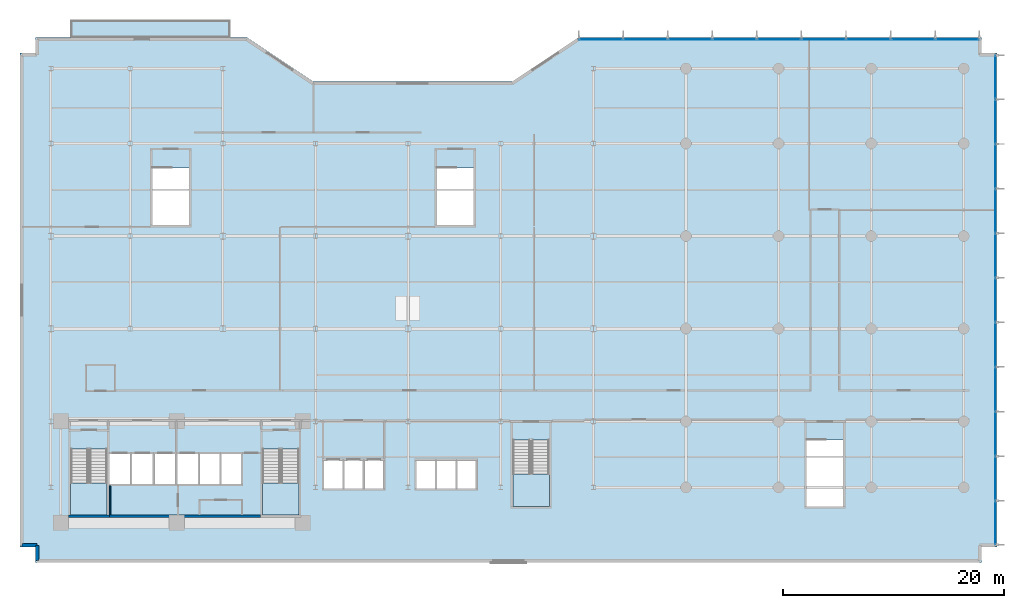
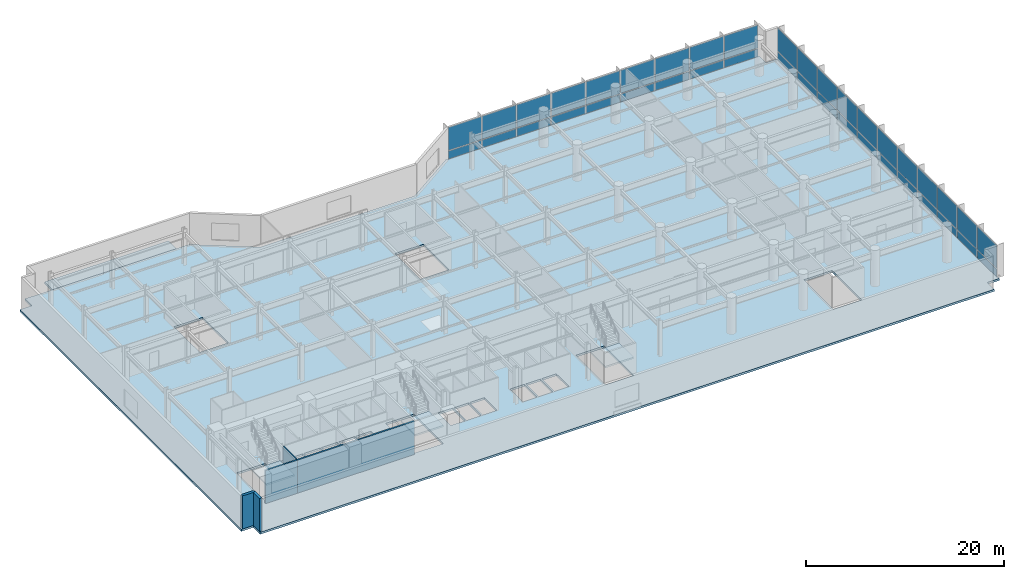
# One storey, part 13 of 23: 40 plates, 5 slabs, 5 walls, 5 elements without a shape of their own.
"""IFC4 building model written with IfcOpenShell, lengths in metres."""

from ifc_helpers import new_model, si_unit, direction, frame, frame_2d, origin, origin_2d, place, context, subcontext, project, spatial, polyline, rectangle, outline, extrude, material, layer, layer_set, type_object, element, aggregate, save


model = new_model("IFC4")

# Units and contexts
model_context = context("Model", 3, precision=1e-05, world=origin(), true_north=direction((0.0, 1.0)))
body_context = subcontext(model_context, "Body", "Model", "MODEL_VIEW")
ifc_project = project(units=[si_unit("LENGTHUNIT", "METRE"), si_unit("AREAUNIT", "SQUARE_METRE"), si_unit("VOLUMEUNIT", "CUBIC_METRE"), si_unit("PLANEANGLEUNIT", "RADIAN"), si_unit("MASSUNIT", "GRAM", prefix="KILO")], contexts=[model_context])

# Site, building, storey
site_placement = place(None, origin())
site = spatial("IfcSite", under=ifc_project, at=site_placement, CompositionType="ELEMENT")
building_placement = place(site_placement, origin())
building = spatial("IfcBuilding", under=site, at=building_placement, Name="Varnakote Quay Hospital", CompositionType="ELEMENT")
storey_placement = place(building_placement, frame((0.0, 0.0, 18.0)))
storey = spatial("IfcBuildingStorey", under=building, at=storey_placement, Name="L04", CompositionType="ELEMENT", Elevation=18.0)

# Curtain wall, plates
ifc_material_1 = material(Name="Anodised aluminium 6063-T6 Bronze", Category="aluminium")
ifc_layer_1 = layer(ifc_material_1, 0.175048828125)
ifc_layer_set_1 = layer_set([ifc_layer_1], Name="Anodised aluminium 6063-T6 Bronze")
curtain_wall_type = type_object("IfcCurtainWallType", Name="CW-SYS-1", PredefinedType="NOTDEFINED", material=ifc_layer_set_1)
curtain_wall_1_placement = place(storey_placement, origin())
curtain_wall_1 = element("IfcCurtainWall", 1, at=curtain_wall_1_placement, inside=storey, type_object=curtain_wall_type, Name="L04 Unitised Bronze Curtain Wall 1", PredefinedType="NOTDEFINED")
ifc_material_2 = material(Name="Double-glazed acoustic laminated glass", Category="glass")
ifc_layer_2 = layer(ifc_material_2, 0.031982421875)
ifc_layer_set_2 = layer_set([ifc_layer_2], Name="Double-glazed acoustic laminated glass")
plate_type = type_object("IfcPlateType", Name="CW-PNL-GLZ-32", PredefinedType="CURTAIN_PANEL", material=ifc_layer_set_2)
plate_1_placement = place(storey_placement, frame((86.840087890625, 2.802978515625, 0.0849609375), z_axis=(0.0, 0.0, 1.0), x_axis=(0.0, 1.0, 0.0)))
plate_1 = element("IfcPlate", 2, at=plate_1_placement, type_object=plate_type, Name="-1-L04-1 panel 1.1", PredefinedType="CURTAIN_PANEL", context=body_context, shape_type="SweptSolid", body=[
    extrude(rectangle(XDim=3.916015625, YDim=0.031982421875, at=origin_2d()), origin(), (0.0, 0.0, 1.0), 0.972412109375),
])
plate_2_placement = place(storey_placement, frame((86.840087890625, 2.802978515625, 1.142578125), z_axis=(0.0, 0.0, 1.0), x_axis=(0.0, 1.0, 0.0)))
plate_2 = element("IfcPlate", 3, at=plate_2_placement, type_object=plate_type, Name="-1-L04-1 panel 1.2", PredefinedType="CURTAIN_PANEL", context=body_context, shape_type="SweptSolid", body=[
    extrude(rectangle(XDim=3.916015625, YDim=0.031982421875, at=origin_2d()), origin(), (0.0, 0.0, 1.0), 2.8525390625),
])
plate_3_placement = place(storey_placement, frame((86.840087890625, 6.825439453125, 0.0849609375), z_axis=(0.0, 0.0, 1.0), x_axis=(0.0, 1.0, 0.0)))
plate_3 = element("IfcPlate", 4, at=plate_3_placement, type_object=plate_type, Name="-1-L04-1 panel 2.1", PredefinedType="CURTAIN_PANEL", context=body_context, shape_type="SweptSolid", body=[
    extrude(rectangle(XDim=3.958740234375, YDim=0.031982421875, at=origin_2d()), origin(), (0.0, 0.0, 1.0), 0.972412109375),
])
plate_4_placement = place(storey_placement, frame((86.840087890625, 6.825439453125, 1.142578125), z_axis=(0.0, 0.0, 1.0), x_axis=(0.0, 1.0, 0.0)))
plate_4 = element("IfcPlate", 5, at=plate_4_placement, type_object=plate_type, Name="-1-L04-1 panel 2.2", PredefinedType="CURTAIN_PANEL", context=body_context, shape_type="SweptSolid", body=[
    extrude(rectangle(XDim=3.958740234375, YDim=0.031982421875, at=origin_2d()), origin(), (0.0, 0.0, 1.0), 2.8525390625),
])
plate_5_placement = place(storey_placement, frame((86.840087890625, 10.869140625, 0.0849609375), z_axis=(0.0, 0.0, 1.0), x_axis=(0.0, 1.0, 0.0)))
plate_5 = element("IfcPlate", 6, at=plate_5_placement, type_object=plate_type, Name="-1-L04-1 panel 3.1", PredefinedType="CURTAIN_PANEL", context=body_context, shape_type="SweptSolid", body=[
    extrude(rectangle(XDim=3.958740234375, YDim=0.031982421875, at=origin_2d()), origin(), (0.0, 0.0, 1.0), 0.972412109375),
])
plate_6_placement = place(storey_placement, frame((86.840087890625, 10.869140625, 1.142578125), z_axis=(0.0, 0.0, 1.0), x_axis=(0.0, 1.0, 0.0)))
plate_6 = element("IfcPlate", 7, at=plate_6_placement, type_object=plate_type, Name="-1-L04-1 panel 3.2", PredefinedType="CURTAIN_PANEL", context=body_context, shape_type="SweptSolid", body=[
    extrude(rectangle(XDim=3.958740234375, YDim=0.031982421875, at=origin_2d()), origin(), (0.0, 0.0, 1.0), 2.8525390625),
])
plate_7_placement = place(storey_placement, frame((86.840087890625, 14.912841796875, 0.0849609375), z_axis=(0.0, 0.0, 1.0), x_axis=(0.0, 1.0, 0.0)))
plate_7 = element("IfcPlate", 8, at=plate_7_placement, type_object=plate_type, Name="-1-L04-1 panel 4.1", PredefinedType="CURTAIN_PANEL", context=body_context, shape_type="SweptSolid", body=[
    extrude(rectangle(XDim=3.958740234375, YDim=0.031982421875, at=origin_2d()), origin(), (0.0, 0.0, 1.0), 0.972412109375),
])
plate_8_placement = place(storey_placement, frame((86.840087890625, 14.912841796875, 1.142578125), z_axis=(0.0, 0.0, 1.0), x_axis=(0.0, 1.0, 0.0)))
plate_8 = element("IfcPlate", 9, at=plate_8_placement, type_object=plate_type, Name="-1-L04-1 panel 4.2", PredefinedType="CURTAIN_PANEL", context=body_context, shape_type="SweptSolid", body=[
    extrude(rectangle(XDim=3.958740234375, YDim=0.031982421875, at=origin_2d()), origin(), (0.0, 0.0, 1.0), 2.8525390625),
])
plate_9_placement = place(storey_placement, frame((86.840087890625, 18.956298828125, 0.0849609375), z_axis=(0.0, 0.0, 1.0), x_axis=(0.0, 1.0, 0.0)))
plate_9 = element("IfcPlate", 10, at=plate_9_placement, type_object=plate_type, Name="-1-L04-1 panel 5.1", PredefinedType="CURTAIN_PANEL", context=body_context, shape_type="SweptSolid", body=[
    extrude(rectangle(XDim=3.958740234375, YDim=0.031982421875, at=origin_2d()), origin(), (0.0, 0.0, 1.0), 0.972412109375),
])
plate_10_placement = place(storey_placement, frame((86.840087890625, 18.956298828125, 1.142578125), z_axis=(0.0, 0.0, 1.0), x_axis=(0.0, 1.0, 0.0)))
plate_10 = element("IfcPlate", 11, at=plate_10_placement, type_object=plate_type, Name="-1-L04-1 panel 5.2", PredefinedType="CURTAIN_PANEL", context=body_context, shape_type="SweptSolid", body=[
    extrude(rectangle(XDim=3.958740234375, YDim=0.031982421875, at=origin_2d()), origin(), (0.0, 0.0, 1.0), 2.8525390625),
])
plate_11_placement = place(storey_placement, frame((86.840087890625, 23.0, 0.0849609375), z_axis=(0.0, 0.0, 1.0), x_axis=(0.0, 1.0, 0.0)))
plate_11 = element("IfcPlate", 12, at=plate_11_placement, type_object=plate_type, Name="-1-L04-1 panel 6.1", PredefinedType="CURTAIN_PANEL", context=body_context, shape_type="SweptSolid", body=[
    extrude(rectangle(XDim=3.958740234375, YDim=0.031982421875, at=origin_2d()), origin(), (0.0, 0.0, 1.0), 0.972412109375),
])
plate_12_placement = place(storey_placement, frame((86.840087890625, 23.0, 1.142578125), z_axis=(0.0, 0.0, 1.0), x_axis=(0.0, 1.0, 0.0)))
plate_12 = element("IfcPlate", 13, at=plate_12_placement, type_object=plate_type, Name="-1-L04-1 panel 6.2", PredefinedType="CURTAIN_PANEL", context=body_context, shape_type="SweptSolid", body=[
    extrude(rectangle(XDim=3.958740234375, YDim=0.031982421875, at=origin_2d()), origin(), (0.0, 0.0, 1.0), 2.8525390625),
])
plate_13_placement = place(storey_placement, frame((86.840087890625, 27.043701171875, 0.0849609375), z_axis=(0.0, 0.0, 1.0), x_axis=(0.0, 1.0, 0.0)))
plate_13 = element("IfcPlate", 14, at=plate_13_placement, type_object=plate_type, Name="-1-L04-1 panel 7.1", PredefinedType="CURTAIN_PANEL", context=body_context, shape_type="SweptSolid", body=[
    extrude(rectangle(XDim=3.958740234375, YDim=0.031982421875, at=origin_2d()), origin(), (0.0, 0.0, 1.0), 0.972412109375),
])
plate_14_placement = place(storey_placement, frame((86.840087890625, 27.043701171875, 1.142578125), z_axis=(0.0, 0.0, 1.0), x_axis=(0.0, 1.0, 0.0)))
plate_14 = element("IfcPlate", 15, at=plate_14_placement, type_object=plate_type, Name="-1-L04-1 panel 7.2", PredefinedType="CURTAIN_PANEL", context=body_context, shape_type="SweptSolid", body=[
    extrude(rectangle(XDim=3.958740234375, YDim=0.031982421875, at=origin_2d()), origin(), (0.0, 0.0, 1.0), 2.8525390625),
])
plate_15_placement = place(storey_placement, frame((86.840087890625, 31.087158203125, 0.0849609375), z_axis=(0.0, 0.0, 1.0), x_axis=(0.0, 1.0, 0.0)))
plate_15 = element("IfcPlate", 16, at=plate_15_placement, type_object=plate_type, Name="-1-L04-1 panel 8.1", PredefinedType="CURTAIN_PANEL", context=body_context, shape_type="SweptSolid", body=[
    extrude(rectangle(XDim=3.958740234375, YDim=0.031982421875, at=origin_2d()), origin(), (0.0, 0.0, 1.0), 0.972412109375),
])
plate_16_placement = place(storey_placement, frame((86.840087890625, 31.087158203125, 1.142578125), z_axis=(0.0, 0.0, 1.0), x_axis=(0.0, 1.0, 0.0)))
plate_16 = element("IfcPlate", 17, at=plate_16_placement, type_object=plate_type, Name="-1-L04-1 panel 8.2", PredefinedType="CURTAIN_PANEL", context=body_context, shape_type="SweptSolid", body=[
    extrude(rectangle(XDim=3.958740234375, YDim=0.031982421875, at=origin_2d()), origin(), (0.0, 0.0, 1.0), 2.8525390625),
])
plate_17_placement = place(storey_placement, frame((86.840087890625, 35.130859375, 0.0849609375), z_axis=(0.0, 0.0, 1.0), x_axis=(0.0, 1.0, 0.0)))
plate_17 = element("IfcPlate", 18, at=plate_17_placement, type_object=plate_type, Name="-1-L04-1 panel 9.1", PredefinedType="CURTAIN_PANEL", context=body_context, shape_type="SweptSolid", body=[
    extrude(rectangle(XDim=3.958740234375, YDim=0.031982421875, at=origin_2d()), origin(), (0.0, 0.0, 1.0), 0.972412109375),
])
plate_18_placement = place(storey_placement, frame((86.840087890625, 35.130859375, 1.142578125), z_axis=(0.0, 0.0, 1.0), x_axis=(0.0, 1.0, 0.0)))
plate_18 = element("IfcPlate", 19, at=plate_18_placement, type_object=plate_type, Name="-1-L04-1 panel 9.2", PredefinedType="CURTAIN_PANEL", context=body_context, shape_type="SweptSolid", body=[
    extrude(rectangle(XDim=3.958740234375, YDim=0.031982421875, at=origin_2d()), origin(), (0.0, 0.0, 1.0), 2.8525390625),
])
plate_19_placement = place(storey_placement, frame((86.840087890625, 39.174560546875, 0.0849609375), z_axis=(0.0, 0.0, 1.0), x_axis=(0.0, 1.0, 0.0)))
plate_19 = element("IfcPlate", 20, at=plate_19_placement, type_object=plate_type, Name="-1-L04-1 panel 10.1", PredefinedType="CURTAIN_PANEL", context=body_context, shape_type="SweptSolid", body=[
    extrude(rectangle(XDim=3.958740234375, YDim=0.031982421875, at=origin_2d()), origin(), (0.0, 0.0, 1.0), 0.972412109375),
])
plate_20_placement = place(storey_placement, frame((86.840087890625, 39.174560546875, 1.142578125), z_axis=(0.0, 0.0, 1.0), x_axis=(0.0, 1.0, 0.0)))
plate_20 = element("IfcPlate", 21, at=plate_20_placement, type_object=plate_type, Name="-1-L04-1 panel 10.2", PredefinedType="CURTAIN_PANEL", context=body_context, shape_type="SweptSolid", body=[
    extrude(rectangle(XDim=3.958740234375, YDim=0.031982421875, at=origin_2d()), origin(), (0.0, 0.0, 1.0), 2.8525390625),
])
plate_21_placement = place(storey_placement, frame((86.840087890625, 43.197021484375, 0.0849609375), z_axis=(0.0, 0.0, 1.0), x_axis=(0.0, 1.0, 0.0)))
plate_21 = element("IfcPlate", 22, at=plate_21_placement, type_object=plate_type, Name="-1-L04-1 panel 11.1", PredefinedType="CURTAIN_PANEL", context=body_context, shape_type="SweptSolid", body=[
    extrude(rectangle(XDim=3.916015625, YDim=0.031982421875, at=origin_2d()), origin(), (0.0, 0.0, 1.0), 0.972412109375),
])
plate_22_placement = place(storey_placement, frame((86.840087890625, 43.197021484375, 1.142578125), z_axis=(0.0, 0.0, 1.0), x_axis=(0.0, 1.0, 0.0)))
plate_22 = element("IfcPlate", 23, at=plate_22_placement, type_object=plate_type, Name="-1-L04-1 panel 11.2", PredefinedType="CURTAIN_PANEL", context=body_context, shape_type="SweptSolid", body=[
    extrude(rectangle(XDim=3.916015625, YDim=0.031982421875, at=origin_2d()), origin(), (0.0, 0.0, 1.0), 2.8525390625),
])
aggregate(curtain_wall_1, [plate_1, plate_2, plate_3, plate_4, plate_5, plate_6, plate_7, plate_8, plate_9, plate_10, plate_11, plate_12, plate_13, plate_14, plate_15, plate_16, plate_17, plate_18, plate_19, plate_20, plate_21, plate_22])

curtain_wall_2_placement = place(storey_placement, origin())
curtain_wall_2 = element("IfcCurtainWall", 24, at=curtain_wall_2_placement, inside=storey, type_object=curtain_wall_type, Name="L04 Unitised Bronze Curtain Wall 2", PredefinedType="NOTDEFINED")
plate_23_placement = place(storey_placement, frame((83.39697265625, 46.639892578125, 0.0849609375), z_axis=(0.0, 0.0, 1.0), x_axis=(-1.0, 0.0, 0.0)))
plate_23 = element("IfcPlate", 25, at=plate_23_placement, type_object=plate_type, Name="-1-L04-2 panel 1.1", PredefinedType="CURTAIN_PANEL", context=body_context, shape_type="SweptSolid", body=[
    extrude(rectangle(XDim=3.916015625, YDim=0.031982421875, at=origin_2d()), origin(), (0.0, 0.0, 1.0), 0.972412109375),
])
plate_24_placement = place(storey_placement, frame((83.39697265625, 46.639892578125, 1.142578125), z_axis=(0.0, 0.0, 1.0), x_axis=(-1.0, 0.0, 0.0)))
plate_24 = element("IfcPlate", 26, at=plate_24_placement, type_object=plate_type, Name="-1-L04-2 panel 1.2", PredefinedType="CURTAIN_PANEL", context=body_context, shape_type="SweptSolid", body=[
    extrude(rectangle(XDim=3.916015625, YDim=0.031982421875, at=origin_2d()), origin(), (0.0, 0.0, 1.0), 2.8525390625),
])
plate_25_placement = place(storey_placement, frame((79.374755859375, 46.639892578125, 0.0849609375), z_axis=(0.0, 0.0, 1.0), x_axis=(-1.0, 0.0, 0.0)))
plate_25 = element("IfcPlate", 27, at=plate_25_placement, type_object=plate_type, Name="-1-L04-2 panel 2.1", PredefinedType="CURTAIN_PANEL", context=body_context, shape_type="SweptSolid", body=[
    extrude(rectangle(XDim=3.95849609375, YDim=0.031982421875, at=origin_2d()), origin(), (0.0, 0.0, 1.0), 0.972412109375),
])
plate_26_placement = place(storey_placement, frame((79.374755859375, 46.639892578125, 1.142578125), z_axis=(0.0, 0.0, 1.0), x_axis=(-1.0, 0.0, 0.0)))
plate_26 = element("IfcPlate", 28, at=plate_26_placement, type_object=plate_type, Name="-1-L04-2 panel 2.2", PredefinedType="CURTAIN_PANEL", context=body_context, shape_type="SweptSolid", body=[
    extrude(rectangle(XDim=3.95849609375, YDim=0.031982421875, at=origin_2d()), origin(), (0.0, 0.0, 1.0), 2.8525390625),
])
plate_27_placement = place(storey_placement, frame((75.331298828125, 46.639892578125, 0.0849609375), z_axis=(0.0, 0.0, 1.0), x_axis=(-1.0, 0.0, 0.0)))
plate_27 = element("IfcPlate", 29, at=plate_27_placement, type_object=plate_type, Name="-1-L04-2 panel 3.1", PredefinedType="CURTAIN_PANEL", context=body_context, shape_type="SweptSolid", body=[
    extrude(rectangle(XDim=3.95849609375, YDim=0.031982421875, at=origin_2d()), origin(), (0.0, 0.0, 1.0), 0.972412109375),
])
plate_28_placement = place(storey_placement, frame((75.331298828125, 46.639892578125, 1.142578125), z_axis=(0.0, 0.0, 1.0), x_axis=(-1.0, 0.0, 0.0)))
plate_28 = element("IfcPlate", 30, at=plate_28_placement, type_object=plate_type, Name="-1-L04-2 panel 3.2", PredefinedType="CURTAIN_PANEL", context=body_context, shape_type="SweptSolid", body=[
    extrude(rectangle(XDim=3.95849609375, YDim=0.031982421875, at=origin_2d()), origin(), (0.0, 0.0, 1.0), 2.8525390625),
])
plate_29_placement = place(storey_placement, frame((71.28759765625, 46.639892578125, 0.0849609375), z_axis=(0.0, 0.0, 1.0), x_axis=(-1.0, 0.0, 0.0)))
plate_29 = element("IfcPlate", 31, at=plate_29_placement, type_object=plate_type, Name="-1-L04-2 panel 4.1", PredefinedType="CURTAIN_PANEL", context=body_context, shape_type="SweptSolid", body=[
    extrude(rectangle(XDim=3.95849609375, YDim=0.031982421875, at=origin_2d()), origin(), (0.0, 0.0, 1.0), 0.972412109375),
])
plate_30_placement = place(storey_placement, frame((71.28759765625, 46.639892578125, 1.142578125), z_axis=(0.0, 0.0, 1.0), x_axis=(-1.0, 0.0, 0.0)))
plate_30 = element("IfcPlate", 32, at=plate_30_placement, type_object=plate_type, Name="-1-L04-2 panel 4.2", PredefinedType="CURTAIN_PANEL", context=body_context, shape_type="SweptSolid", body=[
    extrude(rectangle(XDim=3.95849609375, YDim=0.031982421875, at=origin_2d()), origin(), (0.0, 0.0, 1.0), 2.8525390625),
])
plate_31_placement = place(storey_placement, frame((67.244140625, 46.639892578125, 0.0849609375), z_axis=(0.0, 0.0, 1.0), x_axis=(-1.0, 0.0, 0.0)))
plate_31 = element("IfcPlate", 33, at=plate_31_placement, type_object=plate_type, Name="-1-L04-2 panel 5.1", PredefinedType="CURTAIN_PANEL", context=body_context, shape_type="SweptSolid", body=[
    extrude(rectangle(XDim=3.95849609375, YDim=0.031982421875, at=origin_2d()), origin(), (0.0, 0.0, 1.0), 0.972412109375),
])
plate_32_placement = place(storey_placement, frame((67.244140625, 46.639892578125, 1.142578125), z_axis=(0.0, 0.0, 1.0), x_axis=(-1.0, 0.0, 0.0)))
plate_32 = element("IfcPlate", 34, at=plate_32_placement, type_object=plate_type, Name="-1-L04-2 panel 5.2", PredefinedType="CURTAIN_PANEL", context=body_context, shape_type="SweptSolid", body=[
    extrude(rectangle(XDim=3.95849609375, YDim=0.031982421875, at=origin_2d()), origin(), (0.0, 0.0, 1.0), 2.8525390625),
])
plate_33_placement = place(storey_placement, frame((63.20068359375, 46.639892578125, 0.0849609375), z_axis=(0.0, 0.0, 1.0), x_axis=(-1.0, 0.0, 0.0)))
plate_33 = element("IfcPlate", 35, at=plate_33_placement, type_object=plate_type, Name="-1-L04-2 panel 6.1", PredefinedType="CURTAIN_PANEL", context=body_context, shape_type="SweptSolid", body=[
    extrude(rectangle(XDim=3.95849609375, YDim=0.031982421875, at=origin_2d()), origin(), (0.0, 0.0, 1.0), 0.972412109375),
])
plate_34_placement = place(storey_placement, frame((63.20068359375, 46.639892578125, 1.142578125), z_axis=(0.0, 0.0, 1.0), x_axis=(-1.0, 0.0, 0.0)))
plate_34 = element("IfcPlate", 36, at=plate_34_placement, type_object=plate_type, Name="-1-L04-2 panel 6.2", PredefinedType="CURTAIN_PANEL", context=body_context, shape_type="SweptSolid", body=[
    extrude(rectangle(XDim=3.95849609375, YDim=0.031982421875, at=origin_2d()), origin(), (0.0, 0.0, 1.0), 2.8525390625),
])
plate_35_placement = place(storey_placement, frame((59.1572265625, 46.639892578125, 0.0849609375), z_axis=(0.0, 0.0, 1.0), x_axis=(-1.0, 0.0, 0.0)))
plate_35 = element("IfcPlate", 37, at=plate_35_placement, type_object=plate_type, Name="-1-L04-2 panel 7.1", PredefinedType="CURTAIN_PANEL", context=body_context, shape_type="SweptSolid", body=[
    extrude(rectangle(XDim=3.95849609375, YDim=0.031982421875, at=origin_2d()), origin(), (0.0, 0.0, 1.0), 0.972412109375),
])
plate_36_placement = place(storey_placement, frame((59.1572265625, 46.639892578125, 1.142578125), z_axis=(0.0, 0.0, 1.0), x_axis=(-1.0, 0.0, 0.0)))
plate_36 = element("IfcPlate", 38, at=plate_36_placement, type_object=plate_type, Name="-1-L04-2 panel 7.2", PredefinedType="CURTAIN_PANEL", context=body_context, shape_type="SweptSolid", body=[
    extrude(rectangle(XDim=3.95849609375, YDim=0.031982421875, at=origin_2d()), origin(), (0.0, 0.0, 1.0), 2.8525390625),
])
plate_37_placement = place(storey_placement, frame((55.11376953125, 46.639892578125, 0.0849609375), z_axis=(0.0, 0.0, 1.0), x_axis=(-1.0, 0.0, 0.0)))
plate_37 = element("IfcPlate", 39, at=plate_37_placement, type_object=plate_type, Name="-1-L04-2 panel 8.1", PredefinedType="CURTAIN_PANEL", context=body_context, shape_type="SweptSolid", body=[
    extrude(rectangle(XDim=3.95849609375, YDim=0.031982421875, at=origin_2d()), origin(), (0.0, 0.0, 1.0), 0.972412109375),
])
plate_38_placement = place(storey_placement, frame((55.11376953125, 46.639892578125, 1.142578125), z_axis=(0.0, 0.0, 1.0), x_axis=(-1.0, 0.0, 0.0)))
plate_38 = element("IfcPlate", 40, at=plate_38_placement, type_object=plate_type, Name="-1-L04-2 panel 8.2", PredefinedType="CURTAIN_PANEL", context=body_context, shape_type="SweptSolid", body=[
    extrude(rectangle(XDim=3.95849609375, YDim=0.031982421875, at=origin_2d()), origin(), (0.0, 0.0, 1.0), 2.8525390625),
])
plate_39_placement = place(storey_placement, frame((51.09130859375, 46.639892578125, 0.0849609375), z_axis=(0.0, 0.0, 1.0), x_axis=(-1.0, 0.0, 0.0)))
plate_39 = element("IfcPlate", 41, at=plate_39_placement, type_object=plate_type, Name="-1-L04-2 panel 9.1", PredefinedType="CURTAIN_PANEL", context=body_context, shape_type="SweptSolid", body=[
    extrude(rectangle(XDim=3.916015625, YDim=0.031982421875, at=origin_2d()), origin(), (0.0, 0.0, 1.0), 0.972412109375),
])
plate_40_placement = place(storey_placement, frame((51.09130859375, 46.639892578125, 1.142578125), z_axis=(0.0, 0.0, 1.0), x_axis=(-1.0, 0.0, 0.0)))
plate_40 = element("IfcPlate", 42, at=plate_40_placement, type_object=plate_type, Name="-1-L04-2 panel 9.2", PredefinedType="CURTAIN_PANEL", context=body_context, shape_type="SweptSolid", body=[
    extrude(rectangle(XDim=3.916015625, YDim=0.031982421875, at=origin_2d()), origin(), (0.0, 0.0, 1.0), 2.8525390625),
])
aggregate(curtain_wall_2, [plate_23, plate_24, plate_25, plate_26, plate_27, plate_28, plate_29, plate_30, plate_31, plate_32, plate_33, plate_34, plate_35, plate_36, plate_37, plate_38, plate_39, plate_40])

# Slab
ifc_material_3 = material(Name="Concrete N50 (f'c 50 MPa)", Category="concrete")
ifc_layer_3 = layer(ifc_material_3, 0.25)
ifc_layer_set_3 = layer_set([ifc_layer_3], Name="Concrete N50 (f'c 50 MPa)")
slab_type_1 = type_object("IfcSlabType", Name="SLB-POD-250", PredefinedType="FLOOR", material=ifc_layer_set_3)
slab_1_placement = place(storey_placement, frame((0.0, 0.0, -0.25)))
element("IfcSlab", 43, at=slab_1_placement, inside=storey, type_object=slab_type_1, Name="L04 Primary Floor Slab", PredefinedType="FLOOR", context=body_context, shape_type="SweptSolid", body=[
    extrude(outline(polyline([(-1.60009765625, 0.60009765625), (-0.199951171875, 0.60009765625), (-0.199951171875, -0.800048828125), (85.60009765625, -0.800048828125), (85.60009765625, 0.60009765625), (87.0, 0.60009765625), (87.0, 45.39990234375), (85.60009765625, 45.39990234375), (85.60009765625, 46.800048828125), (49.0, 46.800048828125), (43.0, 42.800048828125), (25.0, 42.800048828125), (19.0, 46.800048828125), (-0.199951171875, 46.800048828125), (-0.199951171875, 45.39990234375), (-1.60009765625, 45.39990234375), (-1.60009765625, 0.60009765625)]), holes=[polyline([(3.0, 3.5), (6.300048828125, 3.5), (6.300048828125, 9.49951171875), (3.0, 9.49951171875), (3.0, 3.5)]), polyline([(20.39990234375, 3.5), (23.699951171875, 3.5), (23.699951171875, 9.49951171875), (20.39990234375, 9.49951171875), (20.39990234375, 3.5)]), polyline([(43.10009765625, 4.300048828125), (46.39990234375, 4.300048828125), (46.39990234375, 10.29931640625), (43.10009765625, 10.29931640625), (43.10009765625, 4.300048828125)]), polyline([(10.39990234375, 29.800048828125), (13.739990234375, 29.800048828125), (13.739990234375, 34.9794921875), (10.39990234375, 34.9794921875), (10.39990234375, 29.800048828125)]), polyline([(36.199951171875, 29.800048828125), (39.5400390625, 29.800048828125), (39.5400390625, 34.9794921875), (36.199951171875, 34.9794921875), (36.199951171875, 29.800048828125)]), polyline([(69.75, 4.300048828125), (73.050048828125, 4.300048828125), (73.050048828125, 10.29931640625), (69.75, 10.29931640625), (69.75, 4.300048828125)]), polyline([(6.5, 6.300048828125), (8.39990234375, 6.300048828125), (8.39990234375, 9.050048828125), (6.5, 9.050048828125), (6.5, 6.300048828125)]), polyline([(8.550048828125, 6.300048828125), (10.449951171875, 6.300048828125), (10.449951171875, 9.050048828125), (8.550048828125, 9.050048828125), (8.550048828125, 6.300048828125)]), polyline([(10.60009765625, 6.300048828125), (12.5, 6.300048828125), (12.5, 9.050048828125), (10.60009765625, 9.050048828125), (10.60009765625, 6.300048828125)]), polyline([(12.64990234375, 6.300048828125), (14.550048828125, 6.300048828125), (14.550048828125, 9.050048828125), (12.64990234375, 9.050048828125), (12.64990234375, 6.300048828125)]), polyline([(14.699951171875, 6.300048828125), (16.5, 6.300048828125), (16.5, 9.050048828125), (14.699951171875, 9.050048828125), (14.699951171875, 6.300048828125)]), polyline([(16.64990234375, 6.300048828125), (18.449951171875, 6.300048828125), (18.449951171875, 9.050048828125), (16.64990234375, 9.050048828125), (16.64990234375, 6.300048828125)]), polyline([(25.949951171875, 5.89990234375), (27.64990234375, 5.89990234375), (27.64990234375, 8.449951171875), (25.949951171875, 8.449951171875), (25.949951171875, 5.89990234375)]), polyline([(27.800048828125, 5.89990234375), (29.5, 5.89990234375), (29.5, 8.449951171875), (27.800048828125, 8.449951171875), (27.800048828125, 5.89990234375)]), polyline([(29.64990234375, 5.89990234375), (31.35009765625, 5.89990234375), (31.35009765625, 8.449951171875), (29.64990234375, 8.449951171875), (29.64990234375, 5.89990234375)]), polyline([(34.35009765625, 5.89990234375), (36.050048828125, 5.89990234375), (36.050048828125, 8.449951171875), (34.35009765625, 8.449951171875), (34.35009765625, 5.89990234375)]), polyline([(36.199951171875, 5.89990234375), (37.89990234375, 5.89990234375), (37.89990234375, 8.449951171875), (36.199951171875, 8.449951171875), (36.199951171875, 5.89990234375)]), polyline([(38.050048828125, 5.89990234375), (39.75, 5.89990234375), (39.75, 8.449951171875), (38.050048828125, 8.449951171875), (38.050048828125, 5.89990234375)])]), origin(), (0.0, 0.0, 1.0), 0.25),
])

# Stair, slab
ifc_material_4 = material(Name="Concrete N40 (f'c 40 MPa)", Category="concrete")
stair_type = type_object("IfcStairType", Name="STR-CORE-1580", PredefinedType="HALF_TURN_STAIR", material=ifc_material_4)
stair_1_placement = place(storey_placement, origin())
stair_1 = element("IfcStair", 44, at=stair_1_placement, inside=storey, type_object=stair_type, Name="L04 Fire-Isolated Exit Stair ST-01", PredefinedType="HALF_TURN_STAIR")
ifc_material_5 = material(Name="Concrete N40 (f'c 40 MPa)", Category="concrete")
ifc_layer_4 = layer(ifc_material_5, 0.199951171875)
ifc_layer_set_4 = layer_set([ifc_layer_4], Name="Concrete N40 (f'c 40 MPa)")
slab_type_2 = type_object("IfcSlabType", Name="SLB-STAIR-LND-200", PredefinedType="LANDING", material=ifc_layer_set_4)
slab_2_placement = place(storey_placement, frame((0.0, 0.0, 2.050048828125)))
slab_2 = element("IfcSlab", 45, at=slab_2_placement, type_object=slab_type_2, Name="ST-01 landing 1", PredefinedType="LANDING", context=body_context, shape_type="SweptSolid", body=[
    extrude(outline(polyline([(3.0, 6.419921875), (3.0, 3.5), (6.300048828125, 3.5), (6.300048828125, 6.419921875), (3.0, 6.419921875)])), origin(), (0.0, 0.0, 1.0), 0.199951171875),
])
aggregate(stair_1, [slab_2])

stair_2_placement = place(storey_placement, origin())
stair_2 = element("IfcStair", 46, at=stair_2_placement, inside=storey, type_object=stair_type, Name="L04 Fire-Isolated Exit Stair ST-02", PredefinedType="HALF_TURN_STAIR")
slab_3_placement = place(storey_placement, frame((0.0, 0.0, 2.050048828125)))
slab_3 = element("IfcSlab", 47, at=slab_3_placement, type_object=slab_type_2, Name="ST-02 landing 1", PredefinedType="LANDING", context=body_context, shape_type="SweptSolid", body=[
    extrude(outline(polyline([(20.39990234375, 6.419921875), (20.39990234375, 3.5), (23.699951171875, 3.5), (23.699951171875, 6.419921875), (20.39990234375, 6.419921875)])), origin(), (0.0, 0.0, 1.0), 0.199951171875),
])
aggregate(stair_2, [slab_3])

stair_3_placement = place(storey_placement, origin())
stair_3 = element("IfcStair", 48, at=stair_3_placement, inside=storey, type_object=stair_type, Name="L04 Fire-Isolated Exit Stair ST-03", PredefinedType="HALF_TURN_STAIR")
slab_4_placement = place(storey_placement, frame((0.0, 0.0, 2.050048828125)))
slab_4 = element("IfcSlab", 49, at=slab_4_placement, type_object=slab_type_2, Name="ST-03 landing 1", PredefinedType="LANDING", context=body_context, shape_type="SweptSolid", body=[
    extrude(outline(polyline([(43.10009765625, 7.219970703125), (43.10009765625, 4.300048828125), (46.39990234375, 4.300048828125), (46.39990234375, 7.219970703125), (43.10009765625, 7.219970703125)])), origin(), (0.0, 0.0, 1.0), 0.199951171875),
])
aggregate(stair_3, [slab_4])

# Slab
ifc_material_6 = material(Name="Concrete N50 (f'c 50 MPa)", Category="concrete")
ifc_layer_5 = layer(ifc_material_6, 0.239990234375)
ifc_layer_set_5 = layer_set([ifc_layer_5], Name="Concrete N50 (f'c 50 MPa)")
slab_type_3 = type_object("IfcSlabType", Name="SLB-TERR-200", PredefinedType="FLOOR", material=ifc_layer_set_5)
slab_5_placement = place(storey_placement, frame((0.0, 0.0, -0.239990234375)))
element("IfcSlab", 50, at=slab_5_placement, inside=storey, type_object=slab_type_3, Name="L04 Waterfront Healing Terrace Slab", PredefinedType="FLOOR", context=body_context, shape_type="SweptSolid", body=[
    extrude(outline(polyline([(3.0, 46.7958984375), (17.5, 46.7958984375), (17.5, 48.39990234375), (3.0, 48.39990234375), (3.0, 46.7958984375)])), origin(), (0.0, 0.0, 1.0), 0.239990234375),
])

# Walls
ifc_material_7 = material(Name="Concrete N80 (f'c 80 MPa)", Category="concrete")
ifc_layer_6 = layer(ifc_material_7, 0.199951171875)
ifc_layer_set_6 = layer_set([ifc_layer_6], Name="Concrete N80 (f'c 80 MPa)")
wall_type_1 = type_object("IfcWallType", Name="WL-CORE-N80-200", PredefinedType="SHEAR", material=ifc_layer_set_6)
wall_1_placement = place(storey_placement, frame((6.5, 3.39990234375, 0.0), z_axis=(0.0, 0.0, 1.0), x_axis=(1.0, 0.0, 0.0)))
element("IfcWall", 51, at=wall_1_placement, inside=storey, type_object=wall_type_1, Name="L04 Rear Core South Shear Wall", PredefinedType="SHEAR", context=body_context, shape_type="SweptSolid", body=[
    extrude(rectangle(XDim=13.699951171875, YDim=0.199951171875, at=frame_2d((6.85009765625, 0.0))), origin(), (0.0, 0.0, 1.0), 4.080078125),
])
ifc_material_8 = material(Name="Precast concrete N50 (f'c 50 MPa)", Category="concrete")
ifc_layer_7 = layer(ifc_material_8, 0.300048828125)
ifc_layer_set_7 = layer_set([ifc_layer_7], Name="Precast concrete N50 (f'c 50 MPa)")
wall_type_2 = type_object("IfcWallType", Name="WL-EXT-BRICK-300", PredefinedType="STANDARD", material=ifc_layer_set_7)
for number, where, z_axis, x_axis, name in (
    (52, (-0.0400390625, 0.760009765625, 0.0), (0.0, 0.0, 1.0), (0.0, -1.0, 0.0), "L04 Brick-Faced Precast Exterior Wall"),
    (53, (-1.43994140625, 0.760009765625, 0.0), (0.0, 0.0, 1.0), (1.0, 0.0, 0.0), "L04 Brick-Faced Precast Exterior Wall"),
):
    element("IfcWall", number, at=place(storey_placement, frame(where, z_axis=z_axis, x_axis=x_axis)), inside=storey, type_object=wall_type_2, Name=name, PredefinedType="STANDARD", context=body_context, shape_type="SweptSolid", body=[
        extrude(rectangle(XDim=1.39990234375, YDim=0.300048828125, at=frame_2d((0.699951171875, 0.0))), origin(), (0.0, 0.0, 1.0), 4.080078125),
    ])
ifc_material_9 = material(Name="Concrete N50 (f'c 50 MPa)", Category="concrete")
ifc_layer_8 = layer(ifc_material_9, 0.199951171875)
ifc_layer_set_8 = layer_set([ifc_layer_8], Name="Concrete N50 (f'c 50 MPa)")
wall_type_3 = type_object("IfcWallType", Name="WL-SHAFT-N50-200", PredefinedType="SHEAR", material=ifc_layer_set_8)
wall_2_placement = place(storey_placement, frame((2.800048828125, 3.39990234375, 0.0), z_axis=(0.0, 0.0, 1.0), x_axis=(1.0, 0.0, 0.0)))
element("IfcWall", 54, at=wall_2_placement, inside=storey, type_object=wall_type_3, Name="L04 Stair ST1 South Shaft Wall", PredefinedType="SHEAR", context=body_context, shape_type="SweptSolid", body=[
    extrude(rectangle(XDim=3.699951171875, YDim=0.199951171875, at=frame_2d((1.85009765625, 0.0))), origin(), (0.0, 0.0, 1.0), 4.080078125),
])
ifc_material_10 = material(Name="Smoke-proof clinical partition", Category="gypsum")
ifc_layer_9 = layer(ifc_material_10, 0.1201171875)
ifc_layer_set_9 = layer_set([ifc_layer_9], Name="Smoke-proof clinical partition")
wall_type_4 = type_object("IfcWallType", Name="WL-SMOKE-120", PredefinedType="PARTITIONING", material=ifc_layer_set_9)
wall_3_placement = place(storey_placement, frame((6.56005859375, 3.52001953125, 0.0), z_axis=(0.0, 0.0, 1.0), x_axis=(0.0, 1.0, 0.0)))
element("IfcWall", 55, at=wall_3_placement, inside=storey, type_object=wall_type_4, Name="L04 Core West Store West Wall", PredefinedType="PARTITIONING", context=body_context, shape_type="SweptSolid", body=[
    extrude(rectangle(XDim=2.619873046875, YDim=0.1201171875, at=frame_2d((1.31005859375, 0.0))), origin(), (0.0, 0.0, 1.0), 4.080078125),
])

save(model, "model.ifc")
